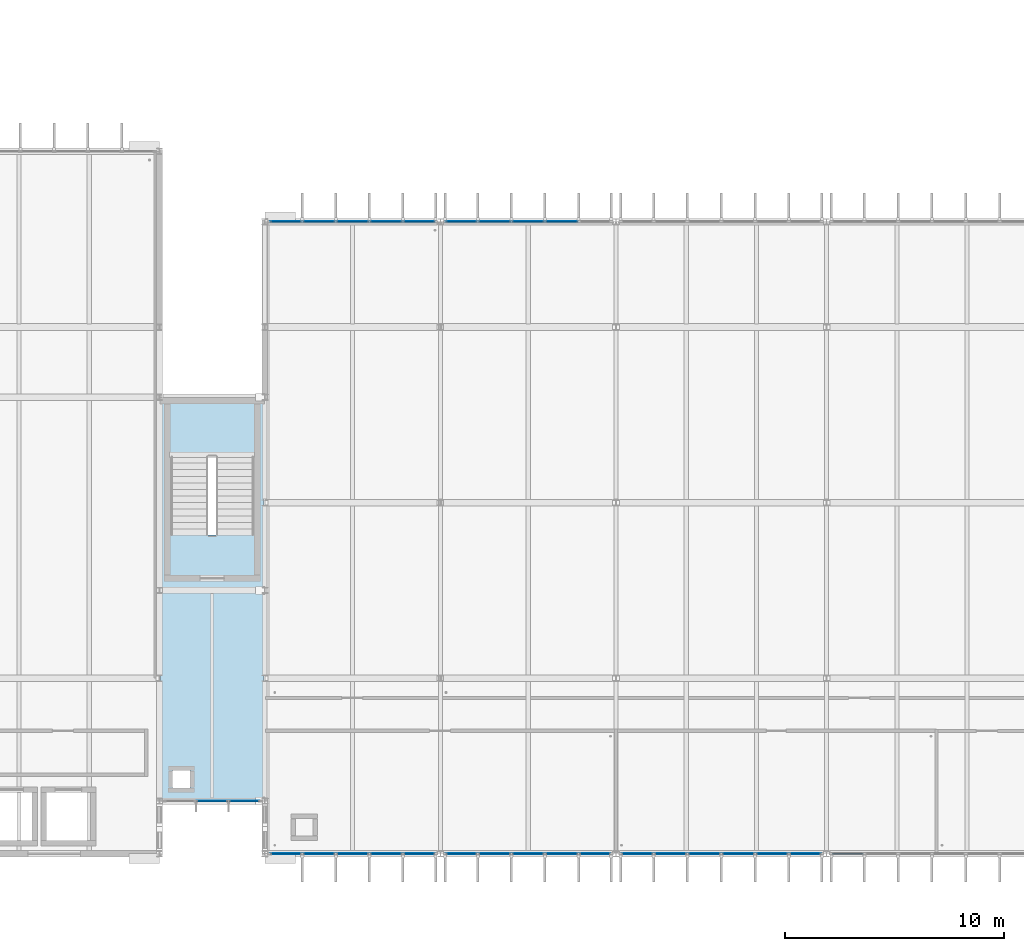
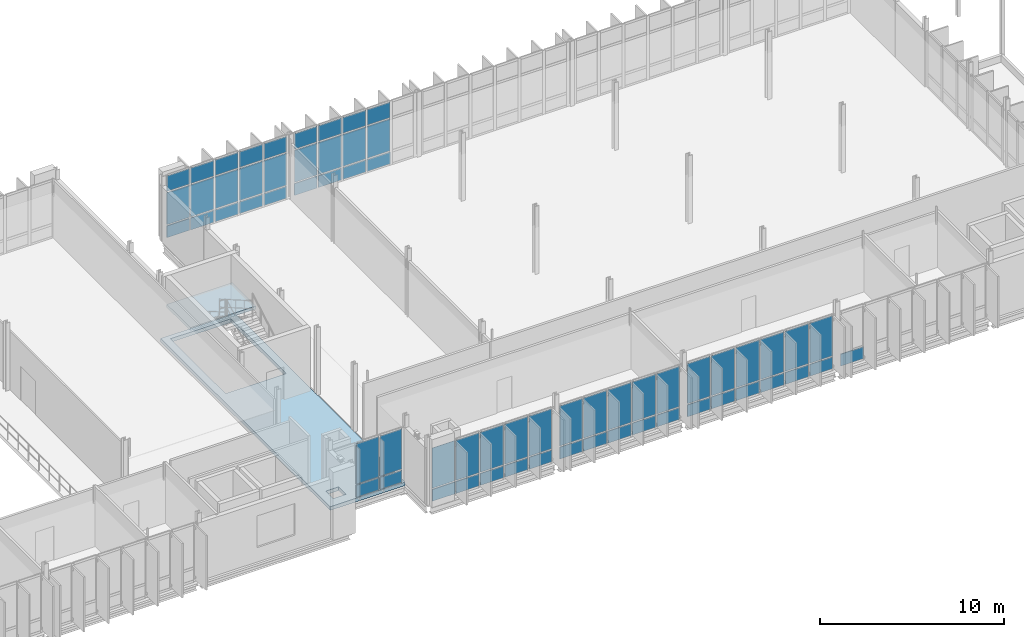
# One storey, part 42 of 93: 64 plates, 2 slabs, 8 elements without a shape of their own.
"""IFC4 building model written with IfcOpenShell, lengths in metres."""

from ifc_helpers import new_model, si_unit, direction, frame, origin, origin_2d, place, context, subcontext, project, spatial, polyline, rectangle, outline, extrude, material, layer, layer_set, type_object, element, aggregate, save


model = new_model("IFC4")

# Units and contexts
model_context = context("Model", 3, precision=1e-05, world=origin(), true_north=direction((0.0, 1.0)))
body_context = subcontext(model_context, "Body", "Model", "MODEL_VIEW")
ifc_project = project(units=[si_unit("LENGTHUNIT", "METRE"), si_unit("AREAUNIT", "SQUARE_METRE"), si_unit("VOLUMEUNIT", "CUBIC_METRE"), si_unit("PLANEANGLEUNIT", "RADIAN"), si_unit("MASSUNIT", "GRAM", prefix="KILO")], contexts=[model_context])

# Site, building, storey
site_placement = place(None, origin())
site = spatial("IfcSite", under=ifc_project, at=site_placement, CompositionType="ELEMENT")
building_placement = place(site_placement, origin())
building = spatial("IfcBuilding", under=site, at=building_placement, Name="Dunescarp Central Library", CompositionType="ELEMENT")
storey_placement = place(building_placement, frame((0.0, 0.0, 14.10009765625)))
storey = spatial("IfcBuildingStorey", under=building, at=storey_placement, Name="L03", CompositionType="ELEMENT", Elevation=14.10009765625)

# Curtain wall, plates
ifc_material_1 = material(Name="Marine-grade anodised aluminium 6063-T6", Category="aluminium")
curtain_wall_type_1 = type_object("IfcCurtainWallType", Name="ARC-CW-STICK", PredefinedType="NOTDEFINED", material=ifc_material_1)
curtain_wall_1_placement = place(storey_placement, origin())
curtain_wall_1 = element("IfcCurtainWall", 1, at=curtain_wall_1_placement, inside=storey, type_object=curtain_wall_type_1, Name="L03 curtain wall CW-V3-098", PredefinedType="NOTDEFINED")
ifc_material_2 = material(Name="Solar-control laminated double glazing", Category="glass")
ifc_layer_1 = layer(ifc_material_2, 0.028076171875)
ifc_layer_set_1 = layer_set([ifc_layer_1], Name="Solar-control laminated double glazing")
plate_type_1 = type_object("IfcPlateType", Name="ARC-PLT-GLZ28", PredefinedType="CURTAIN_PANEL", material=ifc_layer_set_1)
plate_1_placement = place(storey_placement, frame((88.639892578125, 4.800048828125, 0.93994140625), z_axis=(0.0, 0.0, 1.0), x_axis=(-1.0, 0.0, 0.0)))
plate_1 = element("IfcPlate", 2, at=plate_1_placement, type_object=plate_type_1, Name="CW-V3-098 panel 1.2", PredefinedType="CURTAIN_PANEL", context=body_context, shape_type="SweptSolid", body=[
    extrude(rectangle(XDim=1.409912109375, YDim=0.028076171875, at=origin_2d()), origin(), (0.0, 0.0, 1.0), 2.655029296875),
])
plate_2_placement = place(storey_placement, frame((87.1298828125, 4.800048828125, 0.93994140625), z_axis=(0.0, 0.0, 1.0), x_axis=(-1.0, 0.0, 0.0)))
plate_2 = element("IfcPlate", 3, at=plate_2_placement, type_object=plate_type_1, Name="CW-V3-098 panel 2.2", PredefinedType="CURTAIN_PANEL", context=body_context, shape_type="SweptSolid", body=[
    extrude(rectangle(XDim=1.449951171875, YDim=0.028076171875, at=origin_2d()), origin(), (0.0, 0.0, 1.0), 2.655029296875),
])
plate_3_placement = place(storey_placement, frame((85.60009765625, 4.800048828125, 0.93994140625), z_axis=(0.0, 0.0, 1.0), x_axis=(-1.0, 0.0, 0.0)))
plate_3 = element("IfcPlate", 4, at=plate_3_placement, type_object=plate_type_1, Name="CW-V3-098 panel 3.2", PredefinedType="CURTAIN_PANEL", context=body_context, shape_type="SweptSolid", body=[
    extrude(rectangle(XDim=1.449951171875, YDim=0.028076171875, at=origin_2d()), origin(), (0.0, 0.0, 1.0), 2.655029296875),
])
plate_4_placement = place(storey_placement, frame((84.070068359375, 4.800048828125, 0.93994140625), z_axis=(0.0, 0.0, 1.0), x_axis=(-1.0, 0.0, 0.0)))
plate_4 = element("IfcPlate", 5, at=plate_4_placement, type_object=plate_type_1, Name="CW-V3-098 panel 4.2", PredefinedType="CURTAIN_PANEL", context=body_context, shape_type="SweptSolid", body=[
    extrude(rectangle(XDim=1.449951171875, YDim=0.028076171875, at=origin_2d()), origin(), (0.0, 0.0, 1.0), 2.655029296875),
])
plate_5_placement = place(storey_placement, frame((82.56005859375, 4.800048828125, 0.93994140625), z_axis=(0.0, 0.0, 1.0), x_axis=(-1.0, 0.0, 0.0)))
plate_5 = element("IfcPlate", 6, at=plate_5_placement, type_object=plate_type_1, Name="CW-V3-098 panel 5.2", PredefinedType="CURTAIN_PANEL", context=body_context, shape_type="SweptSolid", body=[
    extrude(rectangle(XDim=1.409912109375, YDim=0.028076171875, at=origin_2d()), origin(), (0.0, 0.0, 1.0), 2.655029296875),
])

curtain_wall_2_placement = place(storey_placement, origin())
curtain_wall_2 = element("IfcCurtainWall", 7, at=curtain_wall_2_placement, inside=storey, type_object=curtain_wall_type_1, Name="L03 curtain wall CW-V3-099", PredefinedType="NOTDEFINED")
plate_6_placement = place(storey_placement, frame((96.639892578125, 4.800048828125, 0.93994140625), z_axis=(0.0, 0.0, 1.0), x_axis=(-1.0, 0.0, 0.0)))
plate_6 = element("IfcPlate", 8, at=plate_6_placement, type_object=plate_type_1, Name="CW-V3-099 panel 1.2", PredefinedType="CURTAIN_PANEL", context=body_context, shape_type="SweptSolid", body=[
    extrude(rectangle(XDim=1.409912109375, YDim=0.028076171875, at=origin_2d()), origin(), (0.0, 0.0, 1.0), 2.655029296875),
])
plate_7_placement = place(storey_placement, frame((95.1298828125, 4.800048828125, 0.93994140625), z_axis=(0.0, 0.0, 1.0), x_axis=(-1.0, 0.0, 0.0)))
plate_7 = element("IfcPlate", 9, at=plate_7_placement, type_object=plate_type_1, Name="CW-V3-099 panel 2.2", PredefinedType="CURTAIN_PANEL", context=body_context, shape_type="SweptSolid", body=[
    extrude(rectangle(XDim=1.449951171875, YDim=0.028076171875, at=origin_2d()), origin(), (0.0, 0.0, 1.0), 2.655029296875),
])
plate_8_placement = place(storey_placement, frame((93.60009765625, 4.800048828125, 0.93994140625), z_axis=(0.0, 0.0, 1.0), x_axis=(-1.0, 0.0, 0.0)))
plate_8 = element("IfcPlate", 10, at=plate_8_placement, type_object=plate_type_1, Name="CW-V3-099 panel 3.2", PredefinedType="CURTAIN_PANEL", context=body_context, shape_type="SweptSolid", body=[
    extrude(rectangle(XDim=1.449951171875, YDim=0.028076171875, at=origin_2d()), origin(), (0.0, 0.0, 1.0), 2.655029296875),
])
plate_9_placement = place(storey_placement, frame((92.070068359375, 4.800048828125, 0.93994140625), z_axis=(0.0, 0.0, 1.0), x_axis=(-1.0, 0.0, 0.0)))
plate_9 = element("IfcPlate", 11, at=plate_9_placement, type_object=plate_type_1, Name="CW-V3-099 panel 4.2", PredefinedType="CURTAIN_PANEL", context=body_context, shape_type="SweptSolid", body=[
    extrude(rectangle(XDim=1.449951171875, YDim=0.028076171875, at=origin_2d()), origin(), (0.0, 0.0, 1.0), 2.655029296875),
])
plate_10_placement = place(storey_placement, frame((90.56005859375, 4.800048828125, 0.93994140625), z_axis=(0.0, 0.0, 1.0), x_axis=(-1.0, 0.0, 0.0)))
plate_10 = element("IfcPlate", 12, at=plate_10_placement, type_object=plate_type_1, Name="CW-V3-099 panel 5.2", PredefinedType="CURTAIN_PANEL", context=body_context, shape_type="SweptSolid", body=[
    extrude(rectangle(XDim=1.409912109375, YDim=0.028076171875, at=origin_2d()), origin(), (0.0, 0.0, 1.0), 2.655029296875),
])

curtain_wall_3_placement = place(storey_placement, origin())
curtain_wall_3 = element("IfcCurtainWall", 13, at=curtain_wall_3_placement, inside=storey, type_object=curtain_wall_type_1, Name="L03 curtain wall CW-V3-100", PredefinedType="NOTDEFINED")
plate_11_placement = place(storey_placement, frame((106.234130859375, 4.800048828125, 0.93994140625), z_axis=(0.0, 0.0, 1.0), x_axis=(-1.0, 0.0, 0.0)))
plate_11 = element("IfcPlate", 14, at=plate_11_placement, type_object=plate_type_1, Name="CW-V3-100 panel 1.2", PredefinedType="CURTAIN_PANEL", context=body_context, shape_type="SweptSolid", body=[
    extrude(rectangle(XDim=1.421630859375, YDim=0.028076171875, at=origin_2d()), origin(), (0.0, 0.0, 1.0), 2.655029296875),
])
plate_12_placement = place(storey_placement, frame((104.71240234375, 4.800048828125, 0.93994140625), z_axis=(0.0, 0.0, 1.0), x_axis=(-1.0, 0.0, 0.0)))
plate_12 = element("IfcPlate", 15, at=plate_12_placement, type_object=plate_type_1, Name="CW-V3-100 panel 2.2", PredefinedType="CURTAIN_PANEL", context=body_context, shape_type="SweptSolid", body=[
    extrude(rectangle(XDim=1.461669921875, YDim=0.028076171875, at=origin_2d()), origin(), (0.0, 0.0, 1.0), 2.655029296875),
])
plate_13_placement = place(storey_placement, frame((103.1708984375, 4.800048828125, 0.93994140625), z_axis=(0.0, 0.0, 1.0), x_axis=(-1.0, 0.0, 0.0)))
plate_13 = element("IfcPlate", 16, at=plate_13_placement, type_object=plate_type_1, Name="CW-V3-100 panel 3.2", PredefinedType="CURTAIN_PANEL", context=body_context, shape_type="SweptSolid", body=[
    extrude(rectangle(XDim=1.461669921875, YDim=0.028076171875, at=origin_2d()), origin(), (0.0, 0.0, 1.0), 2.655029296875),
])
plate_14_placement = place(storey_placement, frame((101.629150390625, 4.800048828125, 0.93994140625), z_axis=(0.0, 0.0, 1.0), x_axis=(-1.0, 0.0, 0.0)))
plate_14 = element("IfcPlate", 17, at=plate_14_placement, type_object=plate_type_1, Name="CW-V3-100 panel 4.2", PredefinedType="CURTAIN_PANEL", context=body_context, shape_type="SweptSolid", body=[
    extrude(rectangle(XDim=1.461669921875, YDim=0.028076171875, at=origin_2d()), origin(), (0.0, 0.0, 1.0), 2.655029296875),
])
plate_15_placement = place(storey_placement, frame((100.08740234375, 4.800048828125, 0.93994140625), z_axis=(0.0, 0.0, 1.0), x_axis=(-1.0, 0.0, 0.0)))
plate_15 = element("IfcPlate", 18, at=plate_15_placement, type_object=plate_type_1, Name="CW-V3-100 panel 5.2", PredefinedType="CURTAIN_PANEL", context=body_context, shape_type="SweptSolid", body=[
    extrude(rectangle(XDim=1.461669921875, YDim=0.028076171875, at=origin_2d()), origin(), (0.0, 0.0, 1.0), 2.655029296875),
])
plate_16_placement = place(storey_placement, frame((98.56591796875, 4.800048828125, 0.93994140625), z_axis=(0.0, 0.0, 1.0), x_axis=(-1.0, 0.0, 0.0)))
plate_16 = element("IfcPlate", 19, at=plate_16_placement, type_object=plate_type_1, Name="CW-V3-100 panel 6.2", PredefinedType="CURTAIN_PANEL", context=body_context, shape_type="SweptSolid", body=[
    extrude(rectangle(XDim=1.421630859375, YDim=0.028076171875, at=origin_2d()), origin(), (0.0, 0.0, 1.0), 2.655029296875),
])

curtain_wall_4_placement = place(storey_placement, origin())
curtain_wall_4 = element("IfcCurtainWall", 20, at=curtain_wall_4_placement, inside=storey, type_object=curtain_wall_type_1, Name="L03 curtain wall CW-V3-102", PredefinedType="NOTDEFINED")
plate_17_placement = place(storey_placement, frame((82.56005859375, 33.60009765625, 0.93994140625), z_axis=(0.0, 0.0, 1.0), x_axis=(1.0, 0.0, 0.0)))
plate_17 = element("IfcPlate", 21, at=plate_17_placement, type_object=plate_type_1, Name="CW-V3-102 panel 1.2", PredefinedType="CURTAIN_PANEL", context=body_context, shape_type="SweptSolid", body=[
    extrude(rectangle(XDim=1.409912109375, YDim=0.028076171875, at=origin_2d()), origin(), (0.0, 0.0, 1.0), 2.1201171875),
])
plate_18_placement = place(storey_placement, frame((82.56005859375, 33.60009765625, 3.1396484375), z_axis=(0.0, 0.0, 1.0), x_axis=(1.0, 0.0, 0.0)))
plate_18 = element("IfcPlate", 22, at=plate_18_placement, type_object=plate_type_1, Name="CW-V3-102 panel 1.3", PredefinedType="CURTAIN_PANEL", context=body_context, shape_type="SweptSolid", body=[
    extrude(rectangle(XDim=1.409912109375, YDim=0.028076171875, at=origin_2d()), origin(), (0.0, 0.0, 1.0), 1.030029296875),
])
plate_19_placement = place(storey_placement, frame((84.070068359375, 33.60009765625, 0.93994140625), z_axis=(0.0, 0.0, 1.0), x_axis=(1.0, 0.0, 0.0)))
plate_19 = element("IfcPlate", 23, at=plate_19_placement, type_object=plate_type_1, Name="CW-V3-102 panel 2.2", PredefinedType="CURTAIN_PANEL", context=body_context, shape_type="SweptSolid", body=[
    extrude(rectangle(XDim=1.449951171875, YDim=0.028076171875, at=origin_2d()), origin(), (0.0, 0.0, 1.0), 2.1201171875),
])
plate_20_placement = place(storey_placement, frame((84.070068359375, 33.60009765625, 3.1396484375), z_axis=(0.0, 0.0, 1.0), x_axis=(1.0, 0.0, 0.0)))
plate_20 = element("IfcPlate", 24, at=plate_20_placement, type_object=plate_type_1, Name="CW-V3-102 panel 2.3", PredefinedType="CURTAIN_PANEL", context=body_context, shape_type="SweptSolid", body=[
    extrude(rectangle(XDim=1.449951171875, YDim=0.028076171875, at=origin_2d()), origin(), (0.0, 0.0, 1.0), 1.030029296875),
])
plate_21_placement = place(storey_placement, frame((85.60009765625, 33.60009765625, 0.93994140625), z_axis=(0.0, 0.0, 1.0), x_axis=(1.0, 0.0, 0.0)))
plate_21 = element("IfcPlate", 25, at=plate_21_placement, type_object=plate_type_1, Name="CW-V3-102 panel 3.2", PredefinedType="CURTAIN_PANEL", context=body_context, shape_type="SweptSolid", body=[
    extrude(rectangle(XDim=1.449951171875, YDim=0.028076171875, at=origin_2d()), origin(), (0.0, 0.0, 1.0), 2.1201171875),
])
plate_22_placement = place(storey_placement, frame((85.60009765625, 33.60009765625, 3.1396484375), z_axis=(0.0, 0.0, 1.0), x_axis=(1.0, 0.0, 0.0)))
plate_22 = element("IfcPlate", 26, at=plate_22_placement, type_object=plate_type_1, Name="CW-V3-102 panel 3.3", PredefinedType="CURTAIN_PANEL", context=body_context, shape_type="SweptSolid", body=[
    extrude(rectangle(XDim=1.449951171875, YDim=0.028076171875, at=origin_2d()), origin(), (0.0, 0.0, 1.0), 1.030029296875),
])
plate_23_placement = place(storey_placement, frame((87.1298828125, 33.60009765625, 0.93994140625), z_axis=(0.0, 0.0, 1.0), x_axis=(1.0, 0.0, 0.0)))
plate_23 = element("IfcPlate", 27, at=plate_23_placement, type_object=plate_type_1, Name="CW-V3-102 panel 4.2", PredefinedType="CURTAIN_PANEL", context=body_context, shape_type="SweptSolid", body=[
    extrude(rectangle(XDim=1.449951171875, YDim=0.028076171875, at=origin_2d()), origin(), (0.0, 0.0, 1.0), 2.1201171875),
])
plate_24_placement = place(storey_placement, frame((87.1298828125, 33.60009765625, 3.1396484375), z_axis=(0.0, 0.0, 1.0), x_axis=(1.0, 0.0, 0.0)))
plate_24 = element("IfcPlate", 28, at=plate_24_placement, type_object=plate_type_1, Name="CW-V3-102 panel 4.3", PredefinedType="CURTAIN_PANEL", context=body_context, shape_type="SweptSolid", body=[
    extrude(rectangle(XDim=1.449951171875, YDim=0.028076171875, at=origin_2d()), origin(), (0.0, 0.0, 1.0), 1.030029296875),
])
plate_25_placement = place(storey_placement, frame((88.639892578125, 33.60009765625, 0.93994140625), z_axis=(0.0, 0.0, 1.0), x_axis=(1.0, 0.0, 0.0)))
plate_25 = element("IfcPlate", 29, at=plate_25_placement, type_object=plate_type_1, Name="CW-V3-102 panel 5.2", PredefinedType="CURTAIN_PANEL", context=body_context, shape_type="SweptSolid", body=[
    extrude(rectangle(XDim=1.409912109375, YDim=0.028076171875, at=origin_2d()), origin(), (0.0, 0.0, 1.0), 2.1201171875),
])
plate_26_placement = place(storey_placement, frame((88.639892578125, 33.60009765625, 3.1396484375), z_axis=(0.0, 0.0, 1.0), x_axis=(1.0, 0.0, 0.0)))
plate_26 = element("IfcPlate", 30, at=plate_26_placement, type_object=plate_type_1, Name="CW-V3-102 panel 5.3", PredefinedType="CURTAIN_PANEL", context=body_context, shape_type="SweptSolid", body=[
    extrude(rectangle(XDim=1.409912109375, YDim=0.028076171875, at=origin_2d()), origin(), (0.0, 0.0, 1.0), 1.030029296875),
])

curtain_wall_5_placement = place(storey_placement, origin())
curtain_wall_5 = element("IfcCurtainWall", 31, at=curtain_wall_5_placement, inside=storey, type_object=curtain_wall_type_1, Name="L03 curtain wall CW-V3-103", PredefinedType="NOTDEFINED")
plate_27_placement = place(storey_placement, frame((90.56005859375, 33.60009765625, 0.93994140625), z_axis=(0.0, 0.0, 1.0), x_axis=(1.0, 0.0, 0.0)))
plate_27 = element("IfcPlate", 32, at=plate_27_placement, type_object=plate_type_1, Name="CW-V3-103 panel 1.2", PredefinedType="CURTAIN_PANEL", context=body_context, shape_type="SweptSolid", body=[
    extrude(rectangle(XDim=1.409912109375, YDim=0.028076171875, at=origin_2d()), origin(), (0.0, 0.0, 1.0), 2.1201171875),
])
plate_28_placement = place(storey_placement, frame((90.56005859375, 33.60009765625, 3.1396484375), z_axis=(0.0, 0.0, 1.0), x_axis=(1.0, 0.0, 0.0)))
plate_28 = element("IfcPlate", 33, at=plate_28_placement, type_object=plate_type_1, Name="CW-V3-103 panel 1.3", PredefinedType="CURTAIN_PANEL", context=body_context, shape_type="SweptSolid", body=[
    extrude(rectangle(XDim=1.409912109375, YDim=0.028076171875, at=origin_2d()), origin(), (0.0, 0.0, 1.0), 1.030029296875),
])
plate_29_placement = place(storey_placement, frame((92.070068359375, 33.60009765625, 0.93994140625), z_axis=(0.0, 0.0, 1.0), x_axis=(1.0, 0.0, 0.0)))
plate_29 = element("IfcPlate", 34, at=plate_29_placement, type_object=plate_type_1, Name="CW-V3-103 panel 2.2", PredefinedType="CURTAIN_PANEL", context=body_context, shape_type="SweptSolid", body=[
    extrude(rectangle(XDim=1.449951171875, YDim=0.028076171875, at=origin_2d()), origin(), (0.0, 0.0, 1.0), 2.1201171875),
])
plate_30_placement = place(storey_placement, frame((92.070068359375, 33.60009765625, 3.1396484375), z_axis=(0.0, 0.0, 1.0), x_axis=(1.0, 0.0, 0.0)))
plate_30 = element("IfcPlate", 35, at=plate_30_placement, type_object=plate_type_1, Name="CW-V3-103 panel 2.3", PredefinedType="CURTAIN_PANEL", context=body_context, shape_type="SweptSolid", body=[
    extrude(rectangle(XDim=1.449951171875, YDim=0.028076171875, at=origin_2d()), origin(), (0.0, 0.0, 1.0), 1.030029296875),
])
plate_31_placement = place(storey_placement, frame((93.60009765625, 33.60009765625, 0.93994140625), z_axis=(0.0, 0.0, 1.0), x_axis=(1.0, 0.0, 0.0)))
plate_31 = element("IfcPlate", 36, at=plate_31_placement, type_object=plate_type_1, Name="CW-V3-103 panel 3.2", PredefinedType="CURTAIN_PANEL", context=body_context, shape_type="SweptSolid", body=[
    extrude(rectangle(XDim=1.449951171875, YDim=0.028076171875, at=origin_2d()), origin(), (0.0, 0.0, 1.0), 2.1201171875),
])
plate_32_placement = place(storey_placement, frame((93.60009765625, 33.60009765625, 3.1396484375), z_axis=(0.0, 0.0, 1.0), x_axis=(1.0, 0.0, 0.0)))
plate_32 = element("IfcPlate", 37, at=plate_32_placement, type_object=plate_type_1, Name="CW-V3-103 panel 3.3", PredefinedType="CURTAIN_PANEL", context=body_context, shape_type="SweptSolid", body=[
    extrude(rectangle(XDim=1.449951171875, YDim=0.028076171875, at=origin_2d()), origin(), (0.0, 0.0, 1.0), 1.030029296875),
])
plate_33_placement = place(storey_placement, frame((95.1298828125, 33.60009765625, 0.93994140625), z_axis=(0.0, 0.0, 1.0), x_axis=(1.0, 0.0, 0.0)))
plate_33 = element("IfcPlate", 38, at=plate_33_placement, type_object=plate_type_1, Name="CW-V3-103 panel 4.2", PredefinedType="CURTAIN_PANEL", context=body_context, shape_type="SweptSolid", body=[
    extrude(rectangle(XDim=1.449951171875, YDim=0.028076171875, at=origin_2d()), origin(), (0.0, 0.0, 1.0), 2.1201171875),
])
plate_34_placement = place(storey_placement, frame((95.1298828125, 33.60009765625, 3.1396484375), z_axis=(0.0, 0.0, 1.0), x_axis=(1.0, 0.0, 0.0)))
plate_34 = element("IfcPlate", 39, at=plate_34_placement, type_object=plate_type_1, Name="CW-V3-103 panel 4.3", PredefinedType="CURTAIN_PANEL", context=body_context, shape_type="SweptSolid", body=[
    extrude(rectangle(XDim=1.449951171875, YDim=0.028076171875, at=origin_2d()), origin(), (0.0, 0.0, 1.0), 1.030029296875),
])

curtain_wall_type_2 = type_object("IfcCurtainWallType", Name="ARC-CW-LINK", PredefinedType="USERDEFINED", material=ifc_material_1)
curtain_wall_6_placement = place(storey_placement, origin())
curtain_wall_6 = element("IfcCurtainWall", 40, at=curtain_wall_6_placement, inside=storey, type_object=curtain_wall_type_2, Name="L03 curtain wall CW-GL2-S-L03", ObjectType="GLAZED_LINK_WALL", PredefinedType="USERDEFINED")
plate_35_placement = place(storey_placement, frame((80.663330078125, 7.199951171875, 0.93994140625), z_axis=(0.0, 0.0, 1.0), x_axis=(-1.0, 0.0, 0.0)))
plate_35 = element("IfcPlate", 41, at=plate_35_placement, type_object=plate_type_1, Name="CW-GL2-S-L03 panel 1.2", PredefinedType="CURTAIN_PANEL", context=body_context, shape_type="SweptSolid", body=[
    extrude(rectangle(XDim=1.36328125, YDim=0.028076171875, at=origin_2d()), origin(), (0.0, 0.0, 1.0), 2.666015625),
])
plate_36_placement = place(storey_placement, frame((79.199951171875, 7.199951171875, 0.93994140625), z_axis=(0.0, 0.0, 1.0), x_axis=(-1.0, 0.0, 0.0)))
plate_36 = element("IfcPlate", 42, at=plate_36_placement, type_object=plate_type_1, Name="CW-GL2-S-L03 panel 2.2", PredefinedType="CURTAIN_PANEL", context=body_context, shape_type="SweptSolid", body=[
    extrude(rectangle(XDim=1.4033203125, YDim=0.028076171875, at=origin_2d()), origin(), (0.0, 0.0, 1.0), 2.666015625),
])

# Plate
ifc_layer_2 = layer(ifc_material_1, 0.050048828125)
ifc_layer_set_2 = layer_set([ifc_layer_2], Name="Marine-grade anodised aluminium 6063-T6")
plate_type_2 = type_object("IfcPlateType", Name="ARC-PLT-SPN50", PredefinedType="SHEET", material=ifc_layer_set_2)
plate_37_placement = place(storey_placement, frame((88.639892578125, 4.800048828125, 0.080078125), z_axis=(0.0, 0.0, 1.0), x_axis=(-1.0, 0.0, 0.0)))
plate_37 = element("IfcPlate", 43, at=plate_37_placement, type_object=plate_type_2, Name="CW-V3-098 panel 1.1", PredefinedType="SHEET", context=body_context, shape_type="SweptSolid", body=[
    extrude(rectangle(XDim=1.409912109375, YDim=0.050048828125, at=origin_2d()), origin(), (0.0, 0.0, 1.0), 0.780029296875),
])

plate_38_placement = place(storey_placement, frame((87.1298828125, 4.800048828125, 0.080078125), z_axis=(0.0, 0.0, 1.0), x_axis=(-1.0, 0.0, 0.0)))
plate_38 = element("IfcPlate", 44, at=plate_38_placement, type_object=plate_type_2, Name="CW-V3-098 panel 2.1", PredefinedType="SHEET", context=body_context, shape_type="SweptSolid", body=[
    extrude(rectangle(XDim=1.449951171875, YDim=0.050048828125, at=origin_2d()), origin(), (0.0, 0.0, 1.0), 0.780029296875),
])

plate_39_placement = place(storey_placement, frame((85.60009765625, 4.800048828125, 0.080078125), z_axis=(0.0, 0.0, 1.0), x_axis=(-1.0, 0.0, 0.0)))
plate_39 = element("IfcPlate", 45, at=plate_39_placement, type_object=plate_type_2, Name="CW-V3-098 panel 3.1", PredefinedType="SHEET", context=body_context, shape_type="SweptSolid", body=[
    extrude(rectangle(XDim=1.449951171875, YDim=0.050048828125, at=origin_2d()), origin(), (0.0, 0.0, 1.0), 0.780029296875),
])

plate_40_placement = place(storey_placement, frame((84.070068359375, 4.800048828125, 0.080078125), z_axis=(0.0, 0.0, 1.0), x_axis=(-1.0, 0.0, 0.0)))
plate_40 = element("IfcPlate", 46, at=plate_40_placement, type_object=plate_type_2, Name="CW-V3-098 panel 4.1", PredefinedType="SHEET", context=body_context, shape_type="SweptSolid", body=[
    extrude(rectangle(XDim=1.449951171875, YDim=0.050048828125, at=origin_2d()), origin(), (0.0, 0.0, 1.0), 0.780029296875),
])

plate_41_placement = place(storey_placement, frame((82.56005859375, 4.800048828125, 0.080078125), z_axis=(0.0, 0.0, 1.0), x_axis=(-1.0, 0.0, 0.0)))
plate_41 = element("IfcPlate", 47, at=plate_41_placement, type_object=plate_type_2, Name="CW-V3-098 panel 5.1", PredefinedType="SHEET", context=body_context, shape_type="SweptSolid", body=[
    extrude(rectangle(XDim=1.409912109375, YDim=0.050048828125, at=origin_2d()), origin(), (0.0, 0.0, 1.0), 0.780029296875),
])

aggregate(curtain_wall_1, [plate_37, plate_1, plate_38, plate_2, plate_39, plate_3, plate_40, plate_4, plate_41, plate_5])

plate_42_placement = place(storey_placement, frame((96.639892578125, 4.800048828125, 0.080078125), z_axis=(0.0, 0.0, 1.0), x_axis=(-1.0, 0.0, 0.0)))
plate_42 = element("IfcPlate", 48, at=plate_42_placement, type_object=plate_type_2, Name="CW-V3-099 panel 1.1", PredefinedType="SHEET", context=body_context, shape_type="SweptSolid", body=[
    extrude(rectangle(XDim=1.409912109375, YDim=0.050048828125, at=origin_2d()), origin(), (0.0, 0.0, 1.0), 0.780029296875),
])

plate_43_placement = place(storey_placement, frame((95.1298828125, 4.800048828125, 0.080078125), z_axis=(0.0, 0.0, 1.0), x_axis=(-1.0, 0.0, 0.0)))
plate_43 = element("IfcPlate", 49, at=plate_43_placement, type_object=plate_type_2, Name="CW-V3-099 panel 2.1", PredefinedType="SHEET", context=body_context, shape_type="SweptSolid", body=[
    extrude(rectangle(XDim=1.449951171875, YDim=0.050048828125, at=origin_2d()), origin(), (0.0, 0.0, 1.0), 0.780029296875),
])

plate_44_placement = place(storey_placement, frame((93.60009765625, 4.800048828125, 0.080078125), z_axis=(0.0, 0.0, 1.0), x_axis=(-1.0, 0.0, 0.0)))
plate_44 = element("IfcPlate", 50, at=plate_44_placement, type_object=plate_type_2, Name="CW-V3-099 panel 3.1", PredefinedType="SHEET", context=body_context, shape_type="SweptSolid", body=[
    extrude(rectangle(XDim=1.449951171875, YDim=0.050048828125, at=origin_2d()), origin(), (0.0, 0.0, 1.0), 0.780029296875),
])

plate_45_placement = place(storey_placement, frame((92.070068359375, 4.800048828125, 0.080078125), z_axis=(0.0, 0.0, 1.0), x_axis=(-1.0, 0.0, 0.0)))
plate_45 = element("IfcPlate", 51, at=plate_45_placement, type_object=plate_type_2, Name="CW-V3-099 panel 4.1", PredefinedType="SHEET", context=body_context, shape_type="SweptSolid", body=[
    extrude(rectangle(XDim=1.449951171875, YDim=0.050048828125, at=origin_2d()), origin(), (0.0, 0.0, 1.0), 0.780029296875),
])

plate_46_placement = place(storey_placement, frame((90.56005859375, 4.800048828125, 0.080078125), z_axis=(0.0, 0.0, 1.0), x_axis=(-1.0, 0.0, 0.0)))
plate_46 = element("IfcPlate", 52, at=plate_46_placement, type_object=plate_type_2, Name="CW-V3-099 panel 5.1", PredefinedType="SHEET", context=body_context, shape_type="SweptSolid", body=[
    extrude(rectangle(XDim=1.409912109375, YDim=0.050048828125, at=origin_2d()), origin(), (0.0, 0.0, 1.0), 0.780029296875),
])

aggregate(curtain_wall_2, [plate_42, plate_6, plate_43, plate_7, plate_44, plate_8, plate_45, plate_9, plate_46, plate_10])

plate_47_placement = place(storey_placement, frame((106.234130859375, 4.800048828125, 0.080078125), z_axis=(0.0, 0.0, 1.0), x_axis=(-1.0, 0.0, 0.0)))
plate_47 = element("IfcPlate", 53, at=plate_47_placement, type_object=plate_type_2, Name="CW-V3-100 panel 1.1", PredefinedType="SHEET", context=body_context, shape_type="SweptSolid", body=[
    extrude(rectangle(XDim=1.421630859375, YDim=0.050048828125, at=origin_2d()), origin(), (0.0, 0.0, 1.0), 0.780029296875),
])

plate_48_placement = place(storey_placement, frame((104.71240234375, 4.800048828125, 0.080078125), z_axis=(0.0, 0.0, 1.0), x_axis=(-1.0, 0.0, 0.0)))
plate_48 = element("IfcPlate", 54, at=plate_48_placement, type_object=plate_type_2, Name="CW-V3-100 panel 2.1", PredefinedType="SHEET", context=body_context, shape_type="SweptSolid", body=[
    extrude(rectangle(XDim=1.461669921875, YDim=0.050048828125, at=origin_2d()), origin(), (0.0, 0.0, 1.0), 0.780029296875),
])

plate_49_placement = place(storey_placement, frame((103.1708984375, 4.800048828125, 0.080078125), z_axis=(0.0, 0.0, 1.0), x_axis=(-1.0, 0.0, 0.0)))
plate_49 = element("IfcPlate", 55, at=plate_49_placement, type_object=plate_type_2, Name="CW-V3-100 panel 3.1", PredefinedType="SHEET", context=body_context, shape_type="SweptSolid", body=[
    extrude(rectangle(XDim=1.461669921875, YDim=0.050048828125, at=origin_2d()), origin(), (0.0, 0.0, 1.0), 0.780029296875),
])

plate_50_placement = place(storey_placement, frame((101.629150390625, 4.800048828125, 0.080078125), z_axis=(0.0, 0.0, 1.0), x_axis=(-1.0, 0.0, 0.0)))
plate_50 = element("IfcPlate", 56, at=plate_50_placement, type_object=plate_type_2, Name="CW-V3-100 panel 4.1", PredefinedType="SHEET", context=body_context, shape_type="SweptSolid", body=[
    extrude(rectangle(XDim=1.461669921875, YDim=0.050048828125, at=origin_2d()), origin(), (0.0, 0.0, 1.0), 0.780029296875),
])

plate_51_placement = place(storey_placement, frame((100.08740234375, 4.800048828125, 0.080078125), z_axis=(0.0, 0.0, 1.0), x_axis=(-1.0, 0.0, 0.0)))
plate_51 = element("IfcPlate", 57, at=plate_51_placement, type_object=plate_type_2, Name="CW-V3-100 panel 5.1", PredefinedType="SHEET", context=body_context, shape_type="SweptSolid", body=[
    extrude(rectangle(XDim=1.461669921875, YDim=0.050048828125, at=origin_2d()), origin(), (0.0, 0.0, 1.0), 0.780029296875),
])

plate_52_placement = place(storey_placement, frame((98.56591796875, 4.800048828125, 0.080078125), z_axis=(0.0, 0.0, 1.0), x_axis=(-1.0, 0.0, 0.0)))
plate_52 = element("IfcPlate", 58, at=plate_52_placement, type_object=plate_type_2, Name="CW-V3-100 panel 6.1", PredefinedType="SHEET", context=body_context, shape_type="SweptSolid", body=[
    extrude(rectangle(XDim=1.421630859375, YDim=0.050048828125, at=origin_2d()), origin(), (0.0, 0.0, 1.0), 0.780029296875),
])

aggregate(curtain_wall_3, [plate_47, plate_11, plate_48, plate_12, plate_49, plate_13, plate_50, plate_14, plate_51, plate_15, plate_52, plate_16])

# Curtain wall, plate
curtain_wall_7_placement = place(storey_placement, origin())
curtain_wall_7 = element("IfcCurtainWall", 59, at=curtain_wall_7_placement, inside=storey, type_object=curtain_wall_type_1, Name="L03 curtain wall CW-V3-101", PredefinedType="NOTDEFINED")
plate_53_placement = place(storey_placement, frame((108.165771484375, 4.800048828125, 0.080078125), z_axis=(0.0, 0.0, 1.0), x_axis=(-1.0, 0.0, 0.0)))
plate_53 = element("IfcPlate", 60, at=plate_53_placement, type_object=plate_type_2, Name="CW-V3-101 panel 6.1", PredefinedType="SHEET", context=body_context, shape_type="SweptSolid", body=[
    extrude(rectangle(XDim=1.421630859375, YDim=0.050048828125, at=origin_2d()), origin(), (0.0, 0.0, 1.0), 0.780029296875),
])
aggregate(curtain_wall_7, [plate_53])

# Plate
plate_54_placement = place(storey_placement, frame((82.56005859375, 33.60009765625, 0.080078125), z_axis=(0.0, 0.0, 1.0), x_axis=(1.0, 0.0, 0.0)))
plate_54 = element("IfcPlate", 61, at=plate_54_placement, type_object=plate_type_2, Name="CW-V3-102 panel 1.1", PredefinedType="SHEET", context=body_context, shape_type="SweptSolid", body=[
    extrude(rectangle(XDim=1.409912109375, YDim=0.050048828125, at=origin_2d()), origin(), (0.0, 0.0, 1.0), 0.780029296875),
])

plate_55_placement = place(storey_placement, frame((84.070068359375, 33.60009765625, 0.080078125), z_axis=(0.0, 0.0, 1.0), x_axis=(1.0, 0.0, 0.0)))
plate_55 = element("IfcPlate", 62, at=plate_55_placement, type_object=plate_type_2, Name="CW-V3-102 panel 2.1", PredefinedType="SHEET", context=body_context, shape_type="SweptSolid", body=[
    extrude(rectangle(XDim=1.449951171875, YDim=0.050048828125, at=origin_2d()), origin(), (0.0, 0.0, 1.0), 0.780029296875),
])

plate_56_placement = place(storey_placement, frame((85.60009765625, 33.60009765625, 0.080078125), z_axis=(0.0, 0.0, 1.0), x_axis=(1.0, 0.0, 0.0)))
plate_56 = element("IfcPlate", 63, at=plate_56_placement, type_object=plate_type_2, Name="CW-V3-102 panel 3.1", PredefinedType="SHEET", context=body_context, shape_type="SweptSolid", body=[
    extrude(rectangle(XDim=1.449951171875, YDim=0.050048828125, at=origin_2d()), origin(), (0.0, 0.0, 1.0), 0.780029296875),
])

plate_57_placement = place(storey_placement, frame((87.1298828125, 33.60009765625, 0.080078125), z_axis=(0.0, 0.0, 1.0), x_axis=(1.0, 0.0, 0.0)))
plate_57 = element("IfcPlate", 64, at=plate_57_placement, type_object=plate_type_2, Name="CW-V3-102 panel 4.1", PredefinedType="SHEET", context=body_context, shape_type="SweptSolid", body=[
    extrude(rectangle(XDim=1.449951171875, YDim=0.050048828125, at=origin_2d()), origin(), (0.0, 0.0, 1.0), 0.780029296875),
])

plate_58_placement = place(storey_placement, frame((88.639892578125, 33.60009765625, 0.080078125), z_axis=(0.0, 0.0, 1.0), x_axis=(1.0, 0.0, 0.0)))
plate_58 = element("IfcPlate", 65, at=plate_58_placement, type_object=plate_type_2, Name="CW-V3-102 panel 5.1", PredefinedType="SHEET", context=body_context, shape_type="SweptSolid", body=[
    extrude(rectangle(XDim=1.409912109375, YDim=0.050048828125, at=origin_2d()), origin(), (0.0, 0.0, 1.0), 0.780029296875),
])

aggregate(curtain_wall_4, [plate_54, plate_17, plate_18, plate_55, plate_19, plate_20, plate_56, plate_21, plate_22, plate_57, plate_23, plate_24, plate_58, plate_25, plate_26])

plate_59_placement = place(storey_placement, frame((90.56005859375, 33.60009765625, 0.080078125), z_axis=(0.0, 0.0, 1.0), x_axis=(1.0, 0.0, 0.0)))
plate_59 = element("IfcPlate", 66, at=plate_59_placement, type_object=plate_type_2, Name="CW-V3-103 panel 1.1", PredefinedType="SHEET", context=body_context, shape_type="SweptSolid", body=[
    extrude(rectangle(XDim=1.409912109375, YDim=0.050048828125, at=origin_2d()), origin(), (0.0, 0.0, 1.0), 0.780029296875),
])

plate_60_placement = place(storey_placement, frame((92.070068359375, 33.60009765625, 0.080078125), z_axis=(0.0, 0.0, 1.0), x_axis=(1.0, 0.0, 0.0)))
plate_60 = element("IfcPlate", 67, at=plate_60_placement, type_object=plate_type_2, Name="CW-V3-103 panel 2.1", PredefinedType="SHEET", context=body_context, shape_type="SweptSolid", body=[
    extrude(rectangle(XDim=1.449951171875, YDim=0.050048828125, at=origin_2d()), origin(), (0.0, 0.0, 1.0), 0.780029296875),
])

plate_61_placement = place(storey_placement, frame((93.60009765625, 33.60009765625, 0.080078125), z_axis=(0.0, 0.0, 1.0), x_axis=(1.0, 0.0, 0.0)))
plate_61 = element("IfcPlate", 68, at=plate_61_placement, type_object=plate_type_2, Name="CW-V3-103 panel 3.1", PredefinedType="SHEET", context=body_context, shape_type="SweptSolid", body=[
    extrude(rectangle(XDim=1.449951171875, YDim=0.050048828125, at=origin_2d()), origin(), (0.0, 0.0, 1.0), 0.780029296875),
])

plate_62_placement = place(storey_placement, frame((95.1298828125, 33.60009765625, 0.080078125), z_axis=(0.0, 0.0, 1.0), x_axis=(1.0, 0.0, 0.0)))
plate_62 = element("IfcPlate", 69, at=plate_62_placement, type_object=plate_type_2, Name="CW-V3-103 panel 4.1", PredefinedType="SHEET", context=body_context, shape_type="SweptSolid", body=[
    extrude(rectangle(XDim=1.449951171875, YDim=0.050048828125, at=origin_2d()), origin(), (0.0, 0.0, 1.0), 0.780029296875),
])

aggregate(curtain_wall_5, [plate_59, plate_27, plate_28, plate_60, plate_29, plate_30, plate_61, plate_31, plate_32, plate_62, plate_33, plate_34])

plate_63_placement = place(storey_placement, frame((80.663330078125, 7.199951171875, 0.080078125), z_axis=(0.0, 0.0, 1.0), x_axis=(-1.0, 0.0, 0.0)))
plate_63 = element("IfcPlate", 70, at=plate_63_placement, type_object=plate_type_2, Name="CW-GL2-S-L03 panel 1.1", PredefinedType="SHEET", context=body_context, shape_type="SweptSolid", body=[
    extrude(rectangle(XDim=1.36328125, YDim=0.050048828125, at=origin_2d()), origin(), (0.0, 0.0, 1.0), 0.780029296875),
])

plate_64_placement = place(storey_placement, frame((79.199951171875, 7.199951171875, 0.080078125), z_axis=(0.0, 0.0, 1.0), x_axis=(-1.0, 0.0, 0.0)))
plate_64 = element("IfcPlate", 71, at=plate_64_placement, type_object=plate_type_2, Name="CW-GL2-S-L03 panel 2.1", PredefinedType="SHEET", context=body_context, shape_type="SweptSolid", body=[
    extrude(rectangle(XDim=1.4033203125, YDim=0.050048828125, at=origin_2d()), origin(), (0.0, 0.0, 1.0), 0.780029296875),
])

aggregate(curtain_wall_6, [plate_63, plate_35, plate_64, plate_36])

# Stair, slab
ifc_material_3 = material(Name="Concrete C35/45", Category="concrete")
stair_type = type_object("IfcStairType", Name="ARC-STR-TYP", PredefinedType="HALF_TURN_STAIR", material=ifc_material_3)
stair_placement = place(storey_placement, origin())
stair = element("IfcStair", 72, at=stair_placement, inside=storey, type_object=stair_type, Name="L03 Protected escape stair ST-3", PredefinedType="HALF_TURN_STAIR")
ifc_layer_3 = layer(ifc_material_3, 0.199951171875)
ifc_layer_set_3 = layer_set([ifc_layer_3], Name="Concrete C35/45")
slab_type_1 = type_object("IfcSlabType", Name="STR-SLB-LAND200", PredefinedType="LANDING", material=ifc_layer_set_3)
slab_1_placement = place(storey_placement, frame((0.0, 0.0, 2.0498046875)))
slab_1 = element("IfcSlab", 73, at=slab_1_placement, type_object=slab_type_1, Name="ST-3 landing 1", PredefinedType="LANDING", context=body_context, shape_type="SweptSolid", body=[
    extrude(outline(polyline([(77.14990234375, 22.885009765625), (81.25, 22.885009765625), (81.25, 25.449951171875), (77.14990234375, 25.449951171875), (77.14990234375, 22.885009765625)])), origin(), (0.0, 0.0, 1.0), 0.2001953125),
])
aggregate(stair, [slab_1])

# Slab
ifc_layer_4 = layer(ifc_material_3, 0.239990234375)
ifc_layer_set_4 = layer_set([ifc_layer_4], Name="Concrete C35/45")
slab_type_2 = type_object("IfcSlabType", Name="STR-SLB-STACK240", PredefinedType="FLOOR", material=ifc_layer_set_4)
slab_2_placement = place(storey_placement, frame((0.0, 0.0, -0.239990234375)))
element("IfcSlab", 74, at=slab_2_placement, inside=storey, type_object=slab_type_2, Name="L03 GL2 slab", PredefinedType="FLOOR", context=body_context, shape_type="SweptSolid", body=[
    extrude(outline(polyline([(76.85009765625, 7.199951171875), (81.550048828125, 7.199951171875), (81.550048828125, 25.60009765625), (76.85009765625, 25.60009765625), (76.85009765625, 7.199951171875)]), holes=[polyline([(77.300048828125, 19.31494140625), (81.10009765625, 19.31494140625), (81.10009765625, 25.300048828125), (77.300048828125, 25.300048828125), (77.300048828125, 19.31494140625)]), polyline([(77.39990234375, 7.800048828125), (78.199951171875, 7.800048828125), (78.199951171875, 8.60009765625), (77.39990234375, 8.60009765625), (77.39990234375, 7.800048828125)])]), origin(), (0.0, 0.0, 1.0), 0.239990234375),
])

save(model, "model.ifc")
